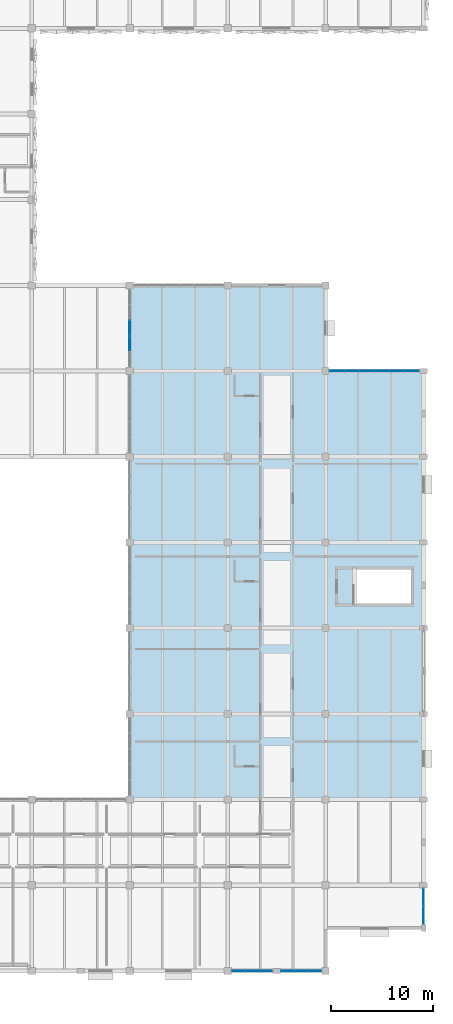
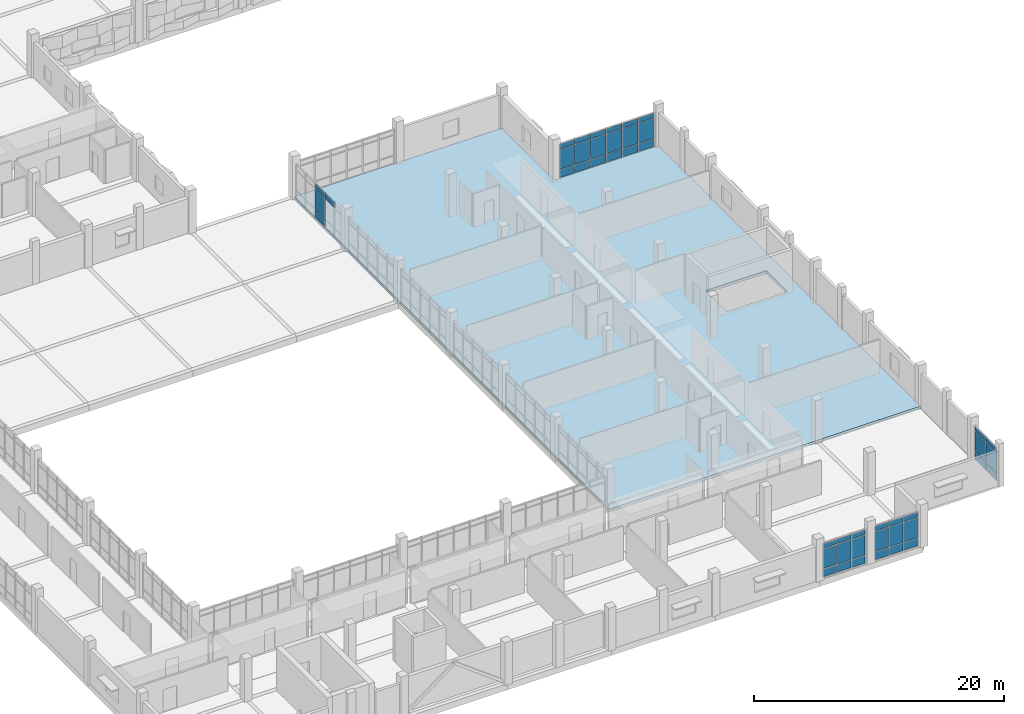
# One storey, part 30 of 57: 46 plates, 1 slab, 5 elements without a shape of their own.
"""IFC4 building model written with IfcOpenShell, lengths in metres."""

from ifc_helpers import new_model, si_unit, direction, frame, origin, origin_2d, place, context, subcontext, project, spatial, polyline, rectangle, outline, extrude, material, layer, layer_set, type_object, element, aggregate, save


model = new_model("IFC4")

# Units and contexts
model_context = context("Model", 3, precision=1e-05, world=origin(), true_north=direction((0.0, 1.0)))
body_context = subcontext(model_context, "Body", "Model", "MODEL_VIEW")
ifc_project = project(units=[si_unit("LENGTHUNIT", "METRE"), si_unit("AREAUNIT", "SQUARE_METRE"), si_unit("VOLUMEUNIT", "CUBIC_METRE"), si_unit("PLANEANGLEUNIT", "RADIAN"), si_unit("MASSUNIT", "GRAM", prefix="KILO")], contexts=[model_context])

# Site, building, storey
site_placement = place(None, origin())
site = spatial("IfcSite", under=ifc_project, at=site_placement, CompositionType="ELEMENT")
building_placement = place(site_placement, origin())
building = spatial("IfcBuilding", under=site, at=building_placement, Name="Oolite Switchyard Hospital", CompositionType="ELEMENT")
storey_placement = place(building_placement, frame((0.0, 0.0, 17.800048828125)))
storey = spatial("IfcBuildingStorey", under=building, at=storey_placement, Name="L04", CompositionType="ELEMENT", Elevation=17.800048828125)

# Curtain wall, plates
ifc_material_1 = material(Name="Thermally broken aluminum frame with laminated impact glazing", Category="aluminium")
curtain_wall_type_1 = type_object("IfcCurtainWallType", Name="CW-UNIT-96X42", PredefinedType="USERDEFINED", material=ifc_material_1)
curtain_wall_1_placement = place(storey_placement, origin())
curtain_wall_1 = element("IfcCurtainWall", 1, at=curtain_wall_1_placement, inside=storey, type_object=curtain_wall_type_1, Name="L04 Unitised Curtain Wall 362", ObjectType="UNITISED", PredefinedType="USERDEFINED")
ifc_material_2 = material(Name="Insulated fluoropolymer-coated aluminum spandrel panel", Category="aluminium")
ifc_layer_1 = layer(ifc_material_2, 0.054931640625)
ifc_layer_set_1 = layer_set([ifc_layer_1], Name="CW-PNL-SPN55")
plate_type_1 = type_object("IfcPlateType", Name="CW-PNL-SPN55", PredefinedType="CURTAIN_PANEL", material=ifc_layer_set_1)
plate_1_placement = place(storey_placement, frame((202.717041015625, 67.199951171875, 0.06005859375), z_axis=(0.0, 0.0, 1.0), x_axis=(1.0, 0.0, 0.0)))
plate_1 = element("IfcPlate", 2, at=plate_1_placement, type_object=plate_type_1, Name="CW-05 panel 1.1", PredefinedType="CURTAIN_PANEL", context=body_context, shape_type="SweptSolid", body=[
    extrude(rectangle(XDim=1.38427734375, YDim=0.054931640625, at=origin_2d()), origin(), (0.0, 0.0, 1.0), 0.760009765625),
])
plate_2_placement = place(storey_placement, frame((202.717041015625, 67.199951171875, 0.8798828125), z_axis=(0.0, 0.0, 1.0), x_axis=(1.0, 0.0, 0.0)))
plate_2 = element("IfcPlate", 3, at=plate_2_placement, type_object=plate_type_1, Name="CW-05 panel 1.2", PredefinedType="CURTAIN_PANEL", context=body_context, shape_type="SweptSolid", body=[
    extrude(rectangle(XDim=1.38427734375, YDim=0.054931640625, at=origin_2d()), origin(), (0.0, 0.0, 1.0), 1.929931640625),
])
plate_3_placement = place(storey_placement, frame((202.717041015625, 67.199951171875, 2.869873046875), z_axis=(0.0, 0.0, 1.0), x_axis=(1.0, 0.0, 0.0)))
plate_3 = element("IfcPlate", 4, at=plate_3_placement, type_object=plate_type_1, Name="CW-05 panel 1.3", PredefinedType="CURTAIN_PANEL", context=body_context, shape_type="SweptSolid", body=[
    extrude(rectangle(XDim=1.38427734375, YDim=0.054931640625, at=origin_2d()), origin(), (0.0, 0.0, 1.0), 0.4599609375),
])
plate_4_placement = place(storey_placement, frame((204.17626953125, 67.199951171875, 0.06005859375), z_axis=(0.0, 0.0, 1.0), x_axis=(1.0, 0.0, 0.0)))
plate_4 = element("IfcPlate", 5, at=plate_4_placement, type_object=plate_type_1, Name="CW-05 panel 2.1", PredefinedType="CURTAIN_PANEL", context=body_context, shape_type="SweptSolid", body=[
    extrude(rectangle(XDim=1.4140625, YDim=0.054931640625, at=origin_2d()), origin(), (0.0, 0.0, 1.0), 0.760009765625),
])
plate_5_placement = place(storey_placement, frame((204.17626953125, 67.199951171875, 0.8798828125), z_axis=(0.0, 0.0, 1.0), x_axis=(1.0, 0.0, 0.0)))
plate_5 = element("IfcPlate", 6, at=plate_5_placement, type_object=plate_type_1, Name="CW-05 panel 2.2", PredefinedType="CURTAIN_PANEL", context=body_context, shape_type="SweptSolid", body=[
    extrude(rectangle(XDim=1.4140625, YDim=0.054931640625, at=origin_2d()), origin(), (0.0, 0.0, 1.0), 1.929931640625),
])
plate_6_placement = place(storey_placement, frame((204.17626953125, 67.199951171875, 2.869873046875), z_axis=(0.0, 0.0, 1.0), x_axis=(1.0, 0.0, 0.0)))
plate_6 = element("IfcPlate", 7, at=plate_6_placement, type_object=plate_type_1, Name="CW-05 panel 2.3", PredefinedType="CURTAIN_PANEL", context=body_context, shape_type="SweptSolid", body=[
    extrude(rectangle(XDim=1.4140625, YDim=0.054931640625, at=origin_2d()), origin(), (0.0, 0.0, 1.0), 0.4599609375),
])
plate_7_placement = place(storey_placement, frame((205.650390625, 67.199951171875, 0.06005859375), z_axis=(0.0, 0.0, 1.0), x_axis=(1.0, 0.0, 0.0)))
plate_7 = element("IfcPlate", 8, at=plate_7_placement, type_object=plate_type_1, Name="CW-05 panel 3.1", PredefinedType="CURTAIN_PANEL", context=body_context, shape_type="SweptSolid", body=[
    extrude(rectangle(XDim=1.4140625, YDim=0.054931640625, at=origin_2d()), origin(), (0.0, 0.0, 1.0), 0.760009765625),
])
plate_8_placement = place(storey_placement, frame((205.650390625, 67.199951171875, 0.8798828125), z_axis=(0.0, 0.0, 1.0), x_axis=(1.0, 0.0, 0.0)))
plate_8 = element("IfcPlate", 9, at=plate_8_placement, type_object=plate_type_1, Name="CW-05 panel 3.2", PredefinedType="CURTAIN_PANEL", context=body_context, shape_type="SweptSolid", body=[
    extrude(rectangle(XDim=1.4140625, YDim=0.054931640625, at=origin_2d()), origin(), (0.0, 0.0, 1.0), 1.929931640625),
])
plate_9_placement = place(storey_placement, frame((205.650390625, 67.199951171875, 2.869873046875), z_axis=(0.0, 0.0, 1.0), x_axis=(1.0, 0.0, 0.0)))
plate_9 = element("IfcPlate", 10, at=plate_9_placement, type_object=plate_type_1, Name="CW-05 panel 3.3", PredefinedType="CURTAIN_PANEL", context=body_context, shape_type="SweptSolid", body=[
    extrude(rectangle(XDim=1.4140625, YDim=0.054931640625, at=origin_2d()), origin(), (0.0, 0.0, 1.0), 0.4599609375),
])
plate_10_placement = place(storey_placement, frame((207.12451171875, 67.199951171875, 0.06005859375), z_axis=(0.0, 0.0, 1.0), x_axis=(1.0, 0.0, 0.0)))
plate_10 = element("IfcPlate", 11, at=plate_10_placement, type_object=plate_type_1, Name="CW-05 panel 4.1", PredefinedType="CURTAIN_PANEL", context=body_context, shape_type="SweptSolid", body=[
    extrude(rectangle(XDim=1.4140625, YDim=0.054931640625, at=origin_2d()), origin(), (0.0, 0.0, 1.0), 0.760009765625),
])
plate_11_placement = place(storey_placement, frame((207.12451171875, 67.199951171875, 0.8798828125), z_axis=(0.0, 0.0, 1.0), x_axis=(1.0, 0.0, 0.0)))
plate_11 = element("IfcPlate", 12, at=plate_11_placement, type_object=plate_type_1, Name="CW-05 panel 4.2", PredefinedType="CURTAIN_PANEL", context=body_context, shape_type="SweptSolid", body=[
    extrude(rectangle(XDim=1.4140625, YDim=0.054931640625, at=origin_2d()), origin(), (0.0, 0.0, 1.0), 1.929931640625),
])
plate_12_placement = place(storey_placement, frame((207.12451171875, 67.199951171875, 2.869873046875), z_axis=(0.0, 0.0, 1.0), x_axis=(1.0, 0.0, 0.0)))
plate_12 = element("IfcPlate", 13, at=plate_12_placement, type_object=plate_type_1, Name="CW-05 panel 4.3", PredefinedType="CURTAIN_PANEL", context=body_context, shape_type="SweptSolid", body=[
    extrude(rectangle(XDim=1.4140625, YDim=0.054931640625, at=origin_2d()), origin(), (0.0, 0.0, 1.0), 0.4599609375),
])
plate_13_placement = place(storey_placement, frame((208.5986328125, 67.199951171875, 0.06005859375), z_axis=(0.0, 0.0, 1.0), x_axis=(1.0, 0.0, 0.0)))
plate_13 = element("IfcPlate", 14, at=plate_13_placement, type_object=plate_type_1, Name="CW-05 panel 5.1", PredefinedType="CURTAIN_PANEL", context=body_context, shape_type="SweptSolid", body=[
    extrude(rectangle(XDim=1.4140625, YDim=0.054931640625, at=origin_2d()), origin(), (0.0, 0.0, 1.0), 0.760009765625),
])
plate_14_placement = place(storey_placement, frame((208.5986328125, 67.199951171875, 0.8798828125), z_axis=(0.0, 0.0, 1.0), x_axis=(1.0, 0.0, 0.0)))
plate_14 = element("IfcPlate", 15, at=plate_14_placement, type_object=plate_type_1, Name="CW-05 panel 5.2", PredefinedType="CURTAIN_PANEL", context=body_context, shape_type="SweptSolid", body=[
    extrude(rectangle(XDim=1.4140625, YDim=0.054931640625, at=origin_2d()), origin(), (0.0, 0.0, 1.0), 1.929931640625),
])
plate_15_placement = place(storey_placement, frame((208.5986328125, 67.199951171875, 2.869873046875), z_axis=(0.0, 0.0, 1.0), x_axis=(1.0, 0.0, 0.0)))
plate_15 = element("IfcPlate", 16, at=plate_15_placement, type_object=plate_type_1, Name="CW-05 panel 5.3", PredefinedType="CURTAIN_PANEL", context=body_context, shape_type="SweptSolid", body=[
    extrude(rectangle(XDim=1.4140625, YDim=0.054931640625, at=origin_2d()), origin(), (0.0, 0.0, 1.0), 0.4599609375),
])
plate_16_placement = place(storey_placement, frame((210.057861328125, 67.199951171875, 0.06005859375), z_axis=(0.0, 0.0, 1.0), x_axis=(1.0, 0.0, 0.0)))
plate_16 = element("IfcPlate", 17, at=plate_16_placement, type_object=plate_type_1, Name="CW-05 panel 6.1", PredefinedType="CURTAIN_PANEL", context=body_context, shape_type="SweptSolid", body=[
    extrude(rectangle(XDim=1.38427734375, YDim=0.054931640625, at=origin_2d()), origin(), (0.0, 0.0, 1.0), 0.760009765625),
])
plate_17_placement = place(storey_placement, frame((210.057861328125, 67.199951171875, 0.8798828125), z_axis=(0.0, 0.0, 1.0), x_axis=(1.0, 0.0, 0.0)))
plate_17 = element("IfcPlate", 18, at=plate_17_placement, type_object=plate_type_1, Name="CW-05 panel 6.2", PredefinedType="CURTAIN_PANEL", context=body_context, shape_type="SweptSolid", body=[
    extrude(rectangle(XDim=1.38427734375, YDim=0.054931640625, at=origin_2d()), origin(), (0.0, 0.0, 1.0), 1.929931640625),
])
plate_18_placement = place(storey_placement, frame((210.057861328125, 67.199951171875, 2.869873046875), z_axis=(0.0, 0.0, 1.0), x_axis=(1.0, 0.0, 0.0)))
plate_18 = element("IfcPlate", 19, at=plate_18_placement, type_object=plate_type_1, Name="CW-05 panel 6.3", PredefinedType="CURTAIN_PANEL", context=body_context, shape_type="SweptSolid", body=[
    extrude(rectangle(XDim=1.38427734375, YDim=0.054931640625, at=origin_2d()), origin(), (0.0, 0.0, 1.0), 0.4599609375),
])
aggregate(curtain_wall_1, [plate_1, plate_2, plate_3, plate_4, plate_5, plate_6, plate_7, plate_8, plate_9, plate_10, plate_11, plate_12, plate_13, plate_14, plate_15, plate_16, plate_17, plate_18])

curtain_wall_type_2 = type_object("IfcCurtainWallType", Name="CW-UNIT-84X42", PredefinedType="USERDEFINED", material=ifc_material_1)
curtain_wall_2_placement = place(storey_placement, origin())
curtain_wall_2 = element("IfcCurtainWall", 20, at=curtain_wall_2_placement, inside=storey, type_object=curtain_wall_type_2, Name="L04 Unitised Curtain Wall 378", ObjectType="UNITISED", PredefinedType="USERDEFINED")
ifc_layer_2 = layer(ifc_material_2, 0.070068359375)
ifc_layer_set_2 = layer_set([ifc_layer_2], Name="CW-PNL-SPN70")
plate_type_2 = type_object("IfcPlateType", Name="CW-PNL-SPN70", PredefinedType="CURTAIN_PANEL", material=ifc_layer_set_2)
plate_19_placement = place(storey_placement, frame((182.39990234375, 69.865966796875, 2.869873046875), z_axis=(0.0, 0.0, 1.0), x_axis=(0.0, 1.0, 0.0)))
plate_19 = element("IfcPlate", 21, at=plate_19_placement, type_object=plate_type_2, Name="CW-10 panel 2.3", PredefinedType="CURTAIN_PANEL", context=body_context, shape_type="SweptSolid", body=[
    extrude(rectangle(XDim=1.464111328125, YDim=0.070068359375, at=origin_2d()), origin(), (0.0, 0.0, 1.0), 0.4599609375),
])
plate_20_placement = place(storey_placement, frame((182.39990234375, 71.39990234375, 0.06005859375), z_axis=(0.0, 0.0, 1.0), x_axis=(0.0, 1.0, 0.0)))
plate_20 = element("IfcPlate", 22, at=plate_20_placement, type_object=plate_type_2, Name="CW-10 panel 3.1", PredefinedType="CURTAIN_PANEL", context=body_context, shape_type="SweptSolid", body=[
    extrude(rectangle(XDim=1.464111328125, YDim=0.070068359375, at=origin_2d()), origin(), (0.0, 0.0, 1.0), 0.760009765625),
])
plate_21_placement = place(storey_placement, frame((182.39990234375, 71.39990234375, 0.8798828125), z_axis=(0.0, 0.0, 1.0), x_axis=(0.0, 1.0, 0.0)))
plate_21 = element("IfcPlate", 23, at=plate_21_placement, type_object=plate_type_2, Name="CW-10 panel 3.2", PredefinedType="CURTAIN_PANEL", context=body_context, shape_type="SweptSolid", body=[
    extrude(rectangle(XDim=1.464111328125, YDim=0.070068359375, at=origin_2d()), origin(), (0.0, 0.0, 1.0), 1.929931640625),
])
plate_22_placement = place(storey_placement, frame((182.39990234375, 71.39990234375, 2.869873046875), z_axis=(0.0, 0.0, 1.0), x_axis=(0.0, 1.0, 0.0)))
plate_22 = element("IfcPlate", 24, at=plate_22_placement, type_object=plate_type_2, Name="CW-10 panel 3.3", PredefinedType="CURTAIN_PANEL", context=body_context, shape_type="SweptSolid", body=[
    extrude(rectangle(XDim=1.464111328125, YDim=0.070068359375, at=origin_2d()), origin(), (0.0, 0.0, 1.0), 0.4599609375),
])
aggregate(curtain_wall_2, [plate_19, plate_20, plate_21, plate_22])

curtain_wall_3_placement = place(storey_placement, origin())
curtain_wall_3 = element("IfcCurtainWall", 25, at=curtain_wall_3_placement, inside=storey, type_object=curtain_wall_type_2, Name="L04 Unitised Curtain Wall 356", ObjectType="UNITISED", PredefinedType="USERDEFINED")
ifc_material_3 = material(Name="Laminated hurricane-impact insulated glazing unit", Category="glass")
ifc_layer_3 = layer(ifc_material_3, 0.031982421875)
ifc_layer_set_3 = layer_set([ifc_layer_3], Name="CW-PNL-VIS32")
plate_type_3 = type_object("IfcPlateType", Name="CW-PNL-VIS32", PredefinedType="CURTAIN_PANEL", material=ifc_layer_set_3)
plate_23_placement = place(storey_placement, frame((200.5458984375, 8.39990234375, 0.06005859375), z_axis=(0.0, 0.0, 1.0), x_axis=(-1.0, 0.0, 0.0)))
plate_23 = element("IfcPlate", 26, at=plate_23_placement, type_object=plate_type_3, Name="CW-10 panel 1.1", PredefinedType="CURTAIN_PANEL", context=body_context, shape_type="SweptSolid", body=[
    extrude(rectangle(XDim=1.25830078125, YDim=0.031982421875, at=origin_2d()), origin(), (0.0, 0.0, 1.0), 0.760009765625),
])
plate_24_placement = place(storey_placement, frame((200.5458984375, 8.39990234375, 0.8798828125), z_axis=(0.0, 0.0, 1.0), x_axis=(-1.0, 0.0, 0.0)))
plate_24 = element("IfcPlate", 27, at=plate_24_placement, type_object=plate_type_3, Name="CW-10 panel 1.2", PredefinedType="CURTAIN_PANEL", context=body_context, shape_type="SweptSolid", body=[
    extrude(rectangle(XDim=1.25830078125, YDim=0.031982421875, at=origin_2d()), origin(), (0.0, 0.0, 1.0), 1.929931640625),
])
plate_25_placement = place(storey_placement, frame((200.5458984375, 8.39990234375, 2.869873046875), z_axis=(0.0, 0.0, 1.0), x_axis=(-1.0, 0.0, 0.0)))
plate_25 = element("IfcPlate", 28, at=plate_25_placement, type_object=plate_type_3, Name="CW-10 panel 1.3", PredefinedType="CURTAIN_PANEL", context=body_context, shape_type="SweptSolid", body=[
    extrude(rectangle(XDim=1.25830078125, YDim=0.031982421875, at=origin_2d()), origin(), (0.0, 0.0, 1.0), 0.4599609375),
])
plate_26_placement = place(storey_placement, frame((199.21240234375, 8.39990234375, 0.06005859375), z_axis=(0.0, 0.0, 1.0), x_axis=(-1.0, 0.0, 0.0)))
plate_26 = element("IfcPlate", 29, at=plate_26_placement, type_object=plate_type_3, Name="CW-10 panel 2.1", PredefinedType="CURTAIN_PANEL", context=body_context, shape_type="SweptSolid", body=[
    extrude(rectangle(XDim=1.288330078125, YDim=0.031982421875, at=origin_2d()), origin(), (0.0, 0.0, 1.0), 0.760009765625),
])
plate_27_placement = place(storey_placement, frame((199.21240234375, 8.39990234375, 0.8798828125), z_axis=(0.0, 0.0, 1.0), x_axis=(-1.0, 0.0, 0.0)))
plate_27 = element("IfcPlate", 30, at=plate_27_placement, type_object=plate_type_3, Name="CW-10 panel 2.2", PredefinedType="CURTAIN_PANEL", context=body_context, shape_type="SweptSolid", body=[
    extrude(rectangle(XDim=1.288330078125, YDim=0.031982421875, at=origin_2d()), origin(), (0.0, 0.0, 1.0), 1.929931640625),
])
plate_28_placement = place(storey_placement, frame((199.21240234375, 8.39990234375, 2.869873046875), z_axis=(0.0, 0.0, 1.0), x_axis=(-1.0, 0.0, 0.0)))
plate_28 = element("IfcPlate", 31, at=plate_28_placement, type_object=plate_type_3, Name="CW-10 panel 2.3", PredefinedType="CURTAIN_PANEL", context=body_context, shape_type="SweptSolid", body=[
    extrude(rectangle(XDim=1.288330078125, YDim=0.031982421875, at=origin_2d()), origin(), (0.0, 0.0, 1.0), 0.4599609375),
])
plate_29_placement = place(storey_placement, frame((197.879150390625, 8.39990234375, 0.06005859375), z_axis=(0.0, 0.0, 1.0), x_axis=(-1.0, 0.0, 0.0)))
plate_29 = element("IfcPlate", 32, at=plate_29_placement, type_object=plate_type_3, Name="CW-10 panel 3.1", PredefinedType="CURTAIN_PANEL", context=body_context, shape_type="SweptSolid", body=[
    extrude(rectangle(XDim=1.25830078125, YDim=0.031982421875, at=origin_2d()), origin(), (0.0, 0.0, 1.0), 0.760009765625),
])
plate_30_placement = place(storey_placement, frame((197.879150390625, 8.39990234375, 0.8798828125), z_axis=(0.0, 0.0, 1.0), x_axis=(-1.0, 0.0, 0.0)))
plate_30 = element("IfcPlate", 33, at=plate_30_placement, type_object=plate_type_3, Name="CW-10 panel 3.2", PredefinedType="CURTAIN_PANEL", context=body_context, shape_type="SweptSolid", body=[
    extrude(rectangle(XDim=1.25830078125, YDim=0.031982421875, at=origin_2d()), origin(), (0.0, 0.0, 1.0), 1.929931640625),
])
plate_31_placement = place(storey_placement, frame((197.879150390625, 8.39990234375, 2.869873046875), z_axis=(0.0, 0.0, 1.0), x_axis=(-1.0, 0.0, 0.0)))
plate_31 = element("IfcPlate", 34, at=plate_31_placement, type_object=plate_type_3, Name="CW-10 panel 3.3", PredefinedType="CURTAIN_PANEL", context=body_context, shape_type="SweptSolid", body=[
    extrude(rectangle(XDim=1.25830078125, YDim=0.031982421875, at=origin_2d()), origin(), (0.0, 0.0, 1.0), 0.4599609375),
])
aggregate(curtain_wall_3, [plate_23, plate_24, plate_25, plate_26, plate_27, plate_28, plate_29, plate_30, plate_31])

curtain_wall_4_placement = place(storey_placement, origin())
curtain_wall_4 = element("IfcCurtainWall", 35, at=curtain_wall_4_placement, inside=storey, type_object=curtain_wall_type_2, Name="L04 Unitised Curtain Wall 357", ObjectType="UNITISED", PredefinedType="USERDEFINED")
ifc_layer_4 = layer(ifc_material_3, 0.035888671875)
ifc_layer_set_4 = layer_set([ifc_layer_4], Name="CW-PNL-VIS36")
plate_type_4 = type_object("IfcPlateType", Name="CW-PNL-VIS36", PredefinedType="CURTAIN_PANEL", material=ifc_layer_set_4)
plate_32_placement = place(storey_placement, frame((195.71826171875, 8.39990234375, 0.07470703125), z_axis=(0.0, 0.0, 1.0), x_axis=(-1.0, 0.0, 0.0)))
plate_32 = element("IfcPlate", 36, at=plate_32_placement, type_object=plate_type_4, Name="CW-10 panel 1.1", PredefinedType="CURTAIN_PANEL", context=body_context, shape_type="SweptSolid", body=[
    extrude(rectangle(XDim=1.243408203125, YDim=0.035888671875, at=origin_2d()), origin(), (0.0, 0.0, 1.0), 0.737548828125),
])
plate_33_placement = place(storey_placement, frame((195.71826171875, 8.39990234375, 0.887451171875), z_axis=(0.0, 0.0, 1.0), x_axis=(-1.0, 0.0, 0.0)))
plate_33 = element("IfcPlate", 37, at=plate_33_placement, type_object=plate_type_4, Name="CW-10 panel 1.2", PredefinedType="CURTAIN_PANEL", context=body_context, shape_type="SweptSolid", body=[
    extrude(rectangle(XDim=1.243408203125, YDim=0.035888671875, at=origin_2d()), origin(), (0.0, 0.0, 1.0), 1.9150390625),
])
plate_34_placement = place(storey_placement, frame((195.71826171875, 8.39990234375, 2.87744140625), z_axis=(0.0, 0.0, 1.0), x_axis=(-1.0, 0.0, 0.0)))
plate_34 = element("IfcPlate", 38, at=plate_34_placement, type_object=plate_type_4, Name="CW-10 panel 1.3", PredefinedType="CURTAIN_PANEL", context=body_context, shape_type="SweptSolid", body=[
    extrude(rectangle(XDim=1.243408203125, YDim=0.035888671875, at=origin_2d()), origin(), (0.0, 0.0, 1.0), 0.4375),
])
plate_35_placement = place(storey_placement, frame((194.387451171875, 8.39990234375, 0.07470703125), z_axis=(0.0, 0.0, 1.0), x_axis=(-1.0, 0.0, 0.0)))
plate_35 = element("IfcPlate", 39, at=plate_35_placement, type_object=plate_type_4, Name="CW-10 panel 2.1", PredefinedType="CURTAIN_PANEL", context=body_context, shape_type="SweptSolid", body=[
    extrude(rectangle(XDim=1.2783203125, YDim=0.035888671875, at=origin_2d()), origin(), (0.0, 0.0, 1.0), 0.737548828125),
])
plate_36_placement = place(storey_placement, frame((194.387451171875, 8.39990234375, 0.887451171875), z_axis=(0.0, 0.0, 1.0), x_axis=(-1.0, 0.0, 0.0)))
plate_36 = element("IfcPlate", 40, at=plate_36_placement, type_object=plate_type_4, Name="CW-10 panel 2.2", PredefinedType="CURTAIN_PANEL", context=body_context, shape_type="SweptSolid", body=[
    extrude(rectangle(XDim=1.2783203125, YDim=0.035888671875, at=origin_2d()), origin(), (0.0, 0.0, 1.0), 1.9150390625),
])
plate_37_placement = place(storey_placement, frame((194.387451171875, 8.39990234375, 2.87744140625), z_axis=(0.0, 0.0, 1.0), x_axis=(-1.0, 0.0, 0.0)))
plate_37 = element("IfcPlate", 41, at=plate_37_placement, type_object=plate_type_4, Name="CW-10 panel 2.3", PredefinedType="CURTAIN_PANEL", context=body_context, shape_type="SweptSolid", body=[
    extrude(rectangle(XDim=1.2783203125, YDim=0.035888671875, at=origin_2d()), origin(), (0.0, 0.0, 1.0), 0.4375),
])
plate_38_placement = place(storey_placement, frame((193.056640625, 8.39990234375, 0.07470703125), z_axis=(0.0, 0.0, 1.0), x_axis=(-1.0, 0.0, 0.0)))
plate_38 = element("IfcPlate", 42, at=plate_38_placement, type_object=plate_type_4, Name="CW-10 panel 3.1", PredefinedType="CURTAIN_PANEL", context=body_context, shape_type="SweptSolid", body=[
    extrude(rectangle(XDim=1.243408203125, YDim=0.035888671875, at=origin_2d()), origin(), (0.0, 0.0, 1.0), 0.737548828125),
])
plate_39_placement = place(storey_placement, frame((193.056640625, 8.39990234375, 0.887451171875), z_axis=(0.0, 0.0, 1.0), x_axis=(-1.0, 0.0, 0.0)))
plate_39 = element("IfcPlate", 43, at=plate_39_placement, type_object=plate_type_4, Name="CW-10 panel 3.2", PredefinedType="CURTAIN_PANEL", context=body_context, shape_type="SweptSolid", body=[
    extrude(rectangle(XDim=1.243408203125, YDim=0.035888671875, at=origin_2d()), origin(), (0.0, 0.0, 1.0), 1.9150390625),
])
plate_40_placement = place(storey_placement, frame((193.056640625, 8.39990234375, 2.87744140625), z_axis=(0.0, 0.0, 1.0), x_axis=(-1.0, 0.0, 0.0)))
plate_40 = element("IfcPlate", 44, at=plate_40_placement, type_object=plate_type_4, Name="CW-10 panel 3.3", PredefinedType="CURTAIN_PANEL", context=body_context, shape_type="SweptSolid", body=[
    extrude(rectangle(XDim=1.243408203125, YDim=0.035888671875, at=origin_2d()), origin(), (0.0, 0.0, 1.0), 0.4375),
])
aggregate(curtain_wall_4, [plate_32, plate_33, plate_34, plate_35, plate_36, plate_37, plate_38, plate_39, plate_40])

curtain_wall_5_placement = place(storey_placement, origin())
curtain_wall_5 = element("IfcCurtainWall", 45, at=curtain_wall_5_placement, inside=storey, type_object=curtain_wall_type_2, Name="L04 Unitised Curtain Wall 379", ObjectType="UNITISED", PredefinedType="USERDEFINED")
ifc_layer_5 = layer(ifc_material_3, 0.0419921875)
ifc_layer_set_5 = layer_set([ifc_layer_5], Name="CW-PNL-VIS42")
plate_type_5 = type_object("IfcPlateType", Name="CW-PNL-VIS42", PredefinedType="CURTAIN_PANEL", material=ifc_layer_set_5)
plate_41_placement = place(storey_placement, frame((211.199951171875, 15.617431640625, 0.07470703125), z_axis=(0.0, 0.0, 1.0), x_axis=(0.0, -1.0, 0.0)))
plate_41 = element("IfcPlate", 46, at=plate_41_placement, type_object=plate_type_5, Name="CW-10 panel 1.1", PredefinedType="CURTAIN_PANEL", context=body_context, shape_type="SweptSolid", body=[
    extrude(rectangle(XDim=1.68505859375, YDim=0.0419921875, at=origin_2d()), origin(), (0.0, 0.0, 1.0), 0.737548828125),
])
plate_42_placement = place(storey_placement, frame((211.199951171875, 15.617431640625, 0.887451171875), z_axis=(0.0, 0.0, 1.0), x_axis=(0.0, -1.0, 0.0)))
plate_42 = element("IfcPlate", 47, at=plate_42_placement, type_object=plate_type_5, Name="CW-10 panel 1.2", PredefinedType="CURTAIN_PANEL", context=body_context, shape_type="SweptSolid", body=[
    extrude(rectangle(XDim=1.68505859375, YDim=0.0419921875, at=origin_2d()), origin(), (0.0, 0.0, 1.0), 1.9150390625),
])
plate_43_placement = place(storey_placement, frame((211.199951171875, 15.617431640625, 2.87744140625), z_axis=(0.0, 0.0, 1.0), x_axis=(0.0, -1.0, 0.0)))
plate_43 = element("IfcPlate", 48, at=plate_43_placement, type_object=plate_type_5, Name="CW-10 panel 1.3", PredefinedType="CURTAIN_PANEL", context=body_context, shape_type="SweptSolid", body=[
    extrude(rectangle(XDim=1.68505859375, YDim=0.0419921875, at=origin_2d()), origin(), (0.0, 0.0, 1.0), 0.4375),
])
plate_44_placement = place(storey_placement, frame((211.199951171875, 13.857421875, 0.07470703125), z_axis=(0.0, 0.0, 1.0), x_axis=(0.0, -1.0, 0.0)))
plate_44 = element("IfcPlate", 49, at=plate_44_placement, type_object=plate_type_5, Name="CW-10 panel 2.1", PredefinedType="CURTAIN_PANEL", context=body_context, shape_type="SweptSolid", body=[
    extrude(rectangle(XDim=1.68505859375, YDim=0.0419921875, at=origin_2d()), origin(), (0.0, 0.0, 1.0), 0.737548828125),
])
plate_45_placement = place(storey_placement, frame((211.199951171875, 13.857421875, 0.887451171875), z_axis=(0.0, 0.0, 1.0), x_axis=(0.0, -1.0, 0.0)))
plate_45 = element("IfcPlate", 50, at=plate_45_placement, type_object=plate_type_5, Name="CW-10 panel 2.2", PredefinedType="CURTAIN_PANEL", context=body_context, shape_type="SweptSolid", body=[
    extrude(rectangle(XDim=1.68505859375, YDim=0.0419921875, at=origin_2d()), origin(), (0.0, 0.0, 1.0), 1.9150390625),
])
plate_46_placement = place(storey_placement, frame((211.199951171875, 13.857421875, 2.87744140625), z_axis=(0.0, 0.0, 1.0), x_axis=(0.0, -1.0, 0.0)))
plate_46 = element("IfcPlate", 51, at=plate_46_placement, type_object=plate_type_5, Name="CW-10 panel 2.3", PredefinedType="CURTAIN_PANEL", context=body_context, shape_type="SweptSolid", body=[
    extrude(rectangle(XDim=1.68505859375, YDim=0.0419921875, at=origin_2d()), origin(), (0.0, 0.0, 1.0), 0.4375),
])
aggregate(curtain_wall_5, [plate_41, plate_42, plate_43, plate_44, plate_45, plate_46])

# Slab
ifc_material_4 = material(Name="Concrete C40/50", Category="concrete")
ifc_layer_6 = layer(ifc_material_4, 0.27490234375)
ifc_layer_set_6 = layer_set([ifc_layer_6], Name="SLB-FLR-275")
slab_type = type_object("IfcSlabType", Name="SLB-FLR-275", PredefinedType="FLOOR", material=ifc_layer_set_6)
slab_placement = place(storey_placement, frame((0.0, 0.0, -0.275146484375)))
element("IfcSlab", 52, at=slab_placement, inside=storey, type_object=slab_type, Name="L04 V6 Slab V6E", PredefinedType="FLOOR", context=body_context, shape_type="SweptSolid", body=[
    extrude(outline(polyline([(182.39990234375, 25.199951171875), (211.199951171875, 25.199951171875), (211.199951171875, 67.199951171875), (201.60009765625, 67.199951171875), (201.60009765625, 75.60009765625), (182.39990234375, 75.60009765625), (182.39990234375, 25.199951171875)]), holes=[polyline([(204.360107421875, 44.39990234375), (209.949951171875, 44.39990234375), (209.949951171875, 47.760009765625), (204.360107421875, 47.760009765625), (204.360107421875, 44.39990234375)])]), origin(), (0.0, 0.0, 1.0), 0.275146484375),
])

save(model, "model.ifc")
